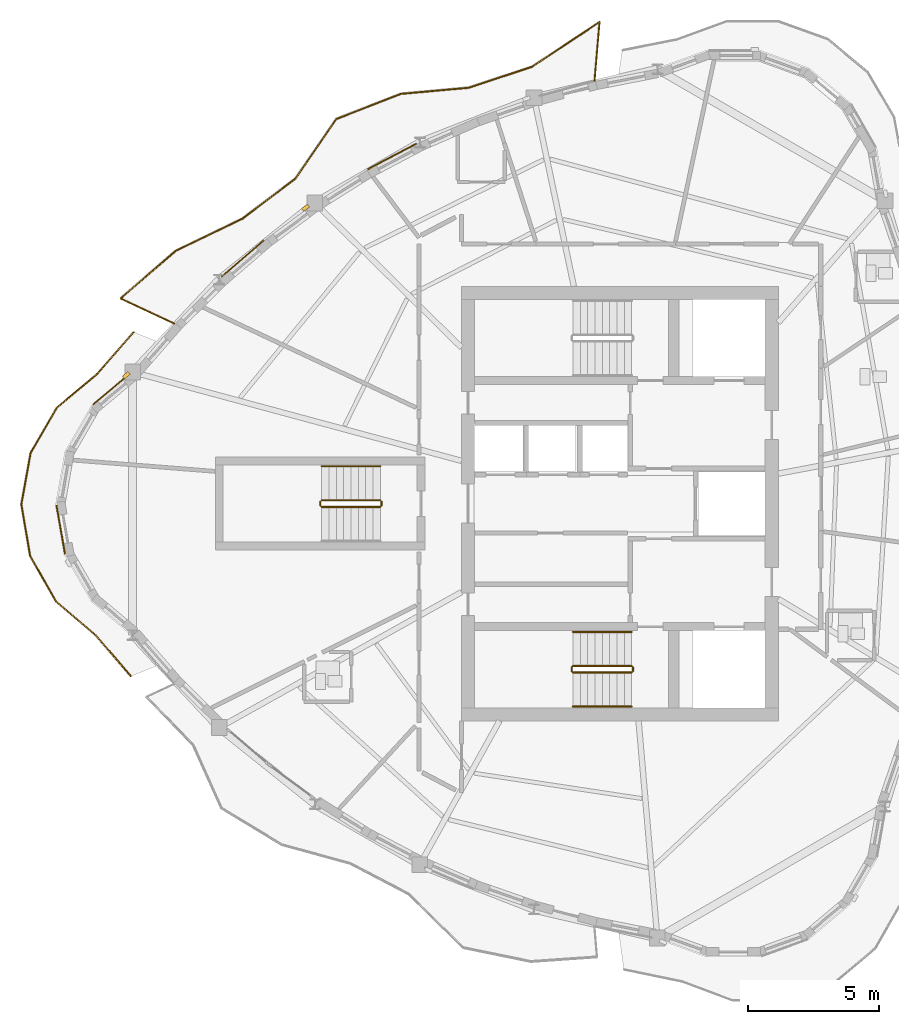
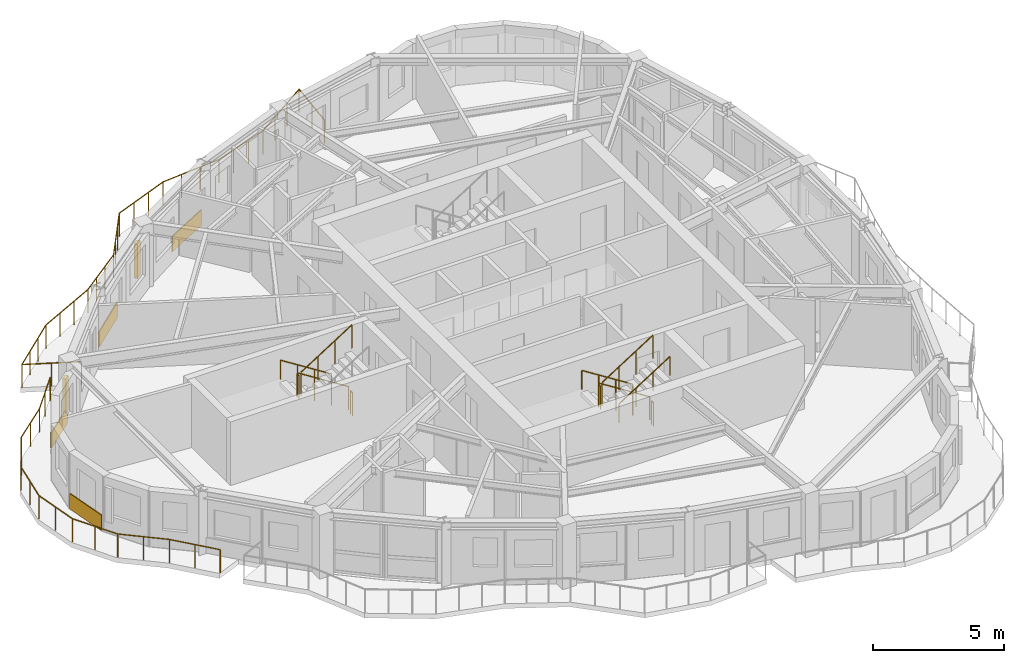
# One storey, part 11 of 13: 13 railings, 4 coverings, 2 shading devices.
"""IFC4 building model written with IfcOpenShell, lengths in metres."""

from ifc_helpers import new_model, si_unit, direction, frame, origin, origin_2d, place, context, subcontext, project, spatial, rectangle, circle, extrude, source, transform, mapped, material, layer, layer_set, type_object, element, save


model = new_model("IFC4")

# Units and contexts
model_context = context("Model", 3, precision=1e-05, world=origin(), true_north=direction((0.0, 1.0)))
body_context = subcontext(model_context, "Body", "Model", "MODEL_VIEW")
ifc_project = project(units=[si_unit("LENGTHUNIT", "METRE"), si_unit("AREAUNIT", "SQUARE_METRE"), si_unit("VOLUMEUNIT", "CUBIC_METRE"), si_unit("PLANEANGLEUNIT", "RADIAN"), si_unit("MASSUNIT", "GRAM", prefix="KILO")], contexts=[model_context])

# Site, building, storey
site_placement = place(None, origin())
site = spatial("IfcSite", under=ifc_project, at=site_placement, CompositionType="ELEMENT")
building_placement = place(site_placement, origin())
building = spatial("IfcBuilding", under=site, at=building_placement, Name="Qafzar Sky-Pleat Residences", CompositionType="ELEMENT")
storey_placement = place(building_placement, frame((0.0, 0.0, 195.60009765625)))
storey = spatial("IfcBuildingStorey", under=building, at=storey_placement, Name="L58", CompositionType="ELEMENT", Elevation=195.60009765625)

# Shading devices
ifc_material_1 = material(Name="Honed Riyadh limestone solar fin", Category="masonry")
ifc_layer_1 = layer(ifc_material_1, 0.139892578125)
ifc_layer_set_1 = layer_set([ifc_layer_1], Name="Honed Riyadh limestone solar fin")
shading_device_type = type_object("IfcShadingDeviceType", Name="SHD-FIN-STONE", PredefinedType="SHUTTER", material=ifc_layer_set_1)
shared_shape_1 = source(origin(), body_context, "Body", "SweptSolid", [
    extrude(rectangle(XDim=0.139892578125, YDim=0.280029296875, at=origin_2d()), origin(), (0.0, 0.0, 1.0), 1.60009765625),
])
for number, where, z_axis, x_axis, name in (
    (1, (11.498046875, 30.90478515625, 0.599853515625), (0.0, 0.0, 1.0), (-0.642754210861, 0.76607246682, 0.0), "L58 Limestone Solar Fin 1"),
    (2, (18.345703125, 37.296630859375, 0.599853515625), (0.0, 0.0, 1.0), (-0.594855767827, 0.803832454858, 0.0), "L58 Limestone Solar Fin 45"),
):
    element("IfcShadingDevice", number, at=place(storey_placement, frame(where, z_axis=z_axis, x_axis=x_axis)), inside=storey, type_object=shading_device_type, Name=name, PredefinedType="SHUTTER", context=body_context, shape_type="MappedRepresentation", body=[
        mapped(shared_shape_1, transform((0.0, 0.0, 0.0), x_axis=(1.0, 0.0, 0.0), y_axis=(0.0, 1.0, 0.0), z_axis=(0.0, 0.0, 1.0), scale=1.0)),
    ])

# Covering
ifc_material_2 = material(Name="Honed Riyadh Tuwaiq limestone cladding", Category="masonry")
ifc_layer_2 = layer(ifc_material_2, 0.044921875)
ifc_layer_set_2 = layer_set([ifc_layer_2], Name="Honed Riyadh Tuwaiq limestone cladding")
covering_type = type_object("IfcCoveringType", Name="COV-CLAD-STONE", PredefinedType="CLADDING", material=ifc_layer_set_2)
shared_shape_2 = source(origin(), body_context, "Body", "SweptSolid", [
    extrude(rectangle(XDim=1.88134765625, YDim=0.044921875, at=origin_2d()), origin(), (0.0, 0.0, 1.0), 0.719970703125),
])
covering_1_placement = place(storey_placement, frame((8.993408203125, 25.00439453125, 0.02001953125), z_axis=(0.0, 0.0, 1.0), x_axis=(0.173662519465, -0.984805224059, 0.0)))
element("IfcCovering", 3, at=covering_1_placement, inside=storey, type_object=covering_type, Name="L58 Riyadh Limestone Spandrel Cladding 4", PredefinedType="CLADDING", context=body_context, shape_type="MappedRepresentation", body=[
    mapped(shared_shape_2, transform((0.0, 0.0, 0.0), x_axis=(1.0, 0.0, 0.0), y_axis=(0.0, 1.0, 0.0), z_axis=(0.0, 0.0, 1.0), scale=1.0)),
])

# Railings
ifc_material_3 = material(Name="Laminated glass and bronze steel balustrade", Category="steel")
railing_type_1 = type_object("IfcRailingType", Name="RAIL-BAL-1100", PredefinedType="BALUSTRADE", material=ifc_material_3)
shared_shape_3 = source(origin(), body_context, "Body", "SweptSolid", [
    extrude(circle(Radius=0.02392578125, at=origin_2d()), frame((0.0, 0.0, 1.076171875), z_axis=(0.085358453155, 0.996350307108, 0.0), x_axis=(-0.996350307108, 0.085358453155, 0.0)), (0.0, 0.0, 1.0), 2.27099609375),
    extrude(circle(Radius=0.02392578125, at=origin_2d()), frame((0.19384765625, 2.2626953125, 1.076171875), z_axis=(-0.833250144576, -0.552896189682, 0.0), x_axis=(0.552896189682, -0.833250144576, 0.0)), (0.0, 0.0, 1.0), 3.093994140625),
    extrude(circle(Radius=0.02392578125, at=origin_2d()), frame((-2.38427734375, 0.552001953125, 1.076171875), z_axis=(-0.948692940758, -0.316198836425, 0.0), x_axis=(0.316198836425, -0.948692940758, 0.0)), (0.0, 0.0, 1.0), 2.53173828125),
    extrude(circle(Radius=0.02392578125, at=origin_2d()), frame((-4.7861328125, -0.24853515625, 1.076171875), z_axis=(-0.99596725281, -0.089717508496, 0.0), x_axis=(0.089717508496, -0.99596725281, 0.0)), (0.0, 0.0, 1.0), 2.609619140625),
    extrude(circle(Radius=0.02392578125, at=origin_2d()), frame((-7.38525390625, -0.482666015625, 1.076171875), z_axis=(-0.932168391901, -0.362024984139, 0.0), x_axis=(0.362024984139, -0.932168391901, 0.0)), (0.0, 0.0, 1.0), 2.656982421875),
    extrude(circle(Radius=0.02392578125, at=origin_2d()), frame((-9.862060546875, -1.444580078125, 1.076171875), z_axis=(-0.565649900182, -0.824645493787, 0.0), x_axis=(0.824645493787, -0.565649900182, 0.0)), (0.0, 0.0, 1.0), 2.771484375),
    extrude(circle(Radius=0.02392578125, at=origin_2d()), frame((-11.4296875, -3.72998046875, 1.076171875), z_axis=(-0.798504701053, -0.601988573311, 0.0), x_axis=(0.601988573311, -0.798504701053, 0.0)), (0.0, 0.0, 1.0), 2.511962890625),
    extrude(circle(Radius=0.02392578125, at=origin_2d()), frame((-13.435546875, -5.2421875, 1.076171875), z_axis=(-0.900251456153, -0.435370320181, 0.0), x_axis=(0.435370320181, -0.900251456153, 0.0)), (0.0, 0.0, 1.0), 2.845947265625),
    extrude(circle(Radius=0.02392578125, at=origin_2d()), frame((-15.99755859375, -6.481201171875, 1.076171875), z_axis=(-0.756453597998, -0.654047363786, 0.0), x_axis=(0.654047363786, -0.756453597998, 0.0)), (0.0, 0.0, 1.0), 2.77978515625),
    extrude(circle(Radius=0.02392578125, at=origin_2d()), frame((-18.100341796875, -8.29931640625, 1.076171875), z_axis=(0.905511863564, -0.424320945683, 0.0), x_axis=(0.424320945683, 0.905511863564, 0.0)), (0.0, 0.0, 1.0), 2.27099609375),
    extrude(circle(Radius=0.02099609375, at=origin_2d()), origin(), (0.0, 0.0, 1.0), 1.052001953125),
    extrude(circle(Radius=0.02099609375, at=origin_2d()), frame((0.096923828125, 1.13134765625, 0.0)), (0.0, 0.0, 1.0), 1.052001953125),
    extrude(circle(Radius=0.02099609375, at=origin_2d()), frame((0.19384765625, 2.2626953125, 0.0)), (0.0, 0.0, 1.0), 1.052001953125),
    extrude(circle(Radius=0.02099609375, at=origin_2d()), frame((-0.66552734375, 1.6923828125, 0.0)), (0.0, 0.0, 1.0), 1.052001953125),
    extrude(circle(Radius=0.02099609375, at=origin_2d()), frame((-1.52490234375, 1.122314453125, 0.0)), (0.0, 0.0, 1.0), 1.052001953125),
    extrude(circle(Radius=0.02099609375, at=origin_2d()), frame((-2.38427734375, 0.552001953125, 0.0)), (0.0, 0.0, 1.0), 1.052001953125),
    extrude(circle(Radius=0.02099609375, at=origin_2d()), frame((-3.184814453125, 0.28515625, 0.0)), (0.0, 0.0, 1.0), 1.052001953125),
    extrude(circle(Radius=0.02099609375, at=origin_2d()), frame((-3.985595703125, 0.018310546875, 0.0)), (0.0, 0.0, 1.0), 1.052001953125),
    extrude(circle(Radius=0.02099609375, at=origin_2d()), frame((-4.7861328125, -0.24853515625, 0.0)), (0.0, 0.0, 1.0), 1.052001953125),
    extrude(circle(Radius=0.02099609375, at=origin_2d()), frame((-5.652587890625, -0.32666015625, 0.0)), (0.0, 0.0, 1.0), 1.052001953125),
    extrude(circle(Radius=0.02099609375, at=origin_2d()), frame((-6.518798828125, -0.404541015625, 0.0)), (0.0, 0.0, 1.0), 1.052001953125),
    extrude(circle(Radius=0.02099609375, at=origin_2d()), frame((-7.38525390625, -0.482666015625, 0.0)), (0.0, 0.0, 1.0), 1.052001953125),
    extrude(circle(Radius=0.02099609375, at=origin_2d()), frame((-8.2109375, -0.80322265625, 0.0)), (0.0, 0.0, 1.0), 1.052001953125),
    extrude(circle(Radius=0.02099609375, at=origin_2d()), frame((-9.036376953125, -1.1240234375, 0.0)), (0.0, 0.0, 1.0), 1.052001953125),
    extrude(circle(Radius=0.02099609375, at=origin_2d()), frame((-9.862060546875, -1.444580078125, 0.0)), (0.0, 0.0, 1.0), 1.052001953125),
    extrude(circle(Radius=0.02099609375, at=origin_2d()), frame((-10.384521484375, -2.206298828125, 0.0)), (0.0, 0.0, 1.0), 1.052001953125),
    extrude(circle(Radius=0.02099609375, at=origin_2d()), frame((-10.9072265625, -2.96826171875, 0.0)), (0.0, 0.0, 1.0), 1.052001953125),
    extrude(circle(Radius=0.02099609375, at=origin_2d()), frame((-11.4296875, -3.72998046875, 0.0)), (0.0, 0.0, 1.0), 1.052001953125),
    extrude(circle(Radius=0.02099609375, at=origin_2d()), frame((-12.098388671875, -4.234130859375, 0.0)), (0.0, 0.0, 1.0), 1.052001953125),
    extrude(circle(Radius=0.02099609375, at=origin_2d()), frame((-12.766845703125, -4.738037109375, 0.0)), (0.0, 0.0, 1.0), 1.052001953125),
    extrude(circle(Radius=0.02099609375, at=origin_2d()), frame((-13.435546875, -5.2421875, 0.0)), (0.0, 0.0, 1.0), 1.052001953125),
    extrude(circle(Radius=0.02099609375, at=origin_2d()), frame((-14.28955078125, -5.6552734375, 0.0)), (0.0, 0.0, 1.0), 1.052001953125),
    extrude(circle(Radius=0.02099609375, at=origin_2d()), frame((-15.1435546875, -6.068115234375, 0.0)), (0.0, 0.0, 1.0), 1.052001953125),
    extrude(circle(Radius=0.02099609375, at=origin_2d()), frame((-15.99755859375, -6.481201171875, 0.0)), (0.0, 0.0, 1.0), 1.052001953125),
    extrude(circle(Radius=0.02099609375, at=origin_2d()), frame((-16.698486328125, -7.087158203125, 0.0)), (0.0, 0.0, 1.0), 1.052001953125),
    extrude(circle(Radius=0.02099609375, at=origin_2d()), frame((-17.3994140625, -7.693359375, 0.0)), (0.0, 0.0, 1.0), 1.052001953125),
    extrude(circle(Radius=0.02099609375, at=origin_2d()), frame((-18.100341796875, -8.29931640625, 0.0)), (0.0, 0.0, 1.0), 1.052001953125),
    extrude(circle(Radius=0.02099609375, at=origin_2d()), frame((-17.072265625, -8.78125, 0.0)), (0.0, 0.0, 1.0), 1.052001953125),
    extrude(circle(Radius=0.02099609375, at=origin_2d()), frame((-16.0439453125, -9.262939453125, 0.0)), (0.0, 0.0, 1.0), 1.052001953125),
])
railing_1_placement = place(storey_placement, frame((29.38134765625, 42.13330078125, 0.0)))
element("IfcRailing", 4, at=railing_1_placement, inside=storey, type_object=railing_type_1, Name="L58 Pleated Balcony 2 Balustrade", PredefinedType="BALUSTRADE", context=body_context, shape_type="MappedRepresentation", body=[
    mapped(shared_shape_3, transform((0.0, 0.0, 0.0), x_axis=(1.0, 0.0, 0.0), y_axis=(0.0, 1.0, 0.0), z_axis=(0.0, 0.0, 1.0), scale=1.0)),
])
shared_shape_4 = source(origin(), body_context, "Body", "SweptSolid", [
    extrude(circle(Radius=0.02392578125, at=origin_2d()), frame((0.0, 0.0, 1.076171875), z_axis=(-0.651026233551, 0.759055230684, 0.0), x_axis=(-0.759055230684, -0.651026233551, 0.0)), (0.0, 0.0, 1.0), 2.05419921875),
    extrude(circle(Radius=0.02392578125, at=origin_2d()), frame((-1.33740234375, 1.559326171875, 1.076171875), z_axis=(-0.761044707681, 0.648699431872, 0.0), x_axis=(-0.648699431872, -0.761044707681, 0.0)), (0.0, 0.0, 1.0), 2.00146484375),
    extrude(circle(Radius=0.02392578125, at=origin_2d()), frame((-2.860595703125, 2.857666015625, 1.076171875), z_axis=(-0.494508353478, 0.86917287598, 0.0), x_axis=(-0.86917287598, -0.494508353478, 0.0)), (0.0, 0.0, 1.0), 2.00048828125),
    extrude(circle(Radius=0.02392578125, at=origin_2d()), frame((-3.849853515625, 4.596435546875, 1.076171875), z_axis=(-0.168296462892, 0.98573642551, 0.0), x_axis=(-0.98573642551, -0.168296462892, 0.0)), (0.0, 0.0, 1.0), 2.00048828125),
    extrude(circle(Radius=0.02392578125, at=origin_2d()), frame((-4.1865234375, 6.568359375, 1.076171875), z_axis=(0.177961618936, 0.984037429261, 0.0), x_axis=(-0.984037429261, 0.177961618936, 0.0)), (0.0, 0.0, 1.0), 2.000244140625),
    extrude(circle(Radius=0.02392578125, at=origin_2d()), frame((-3.83056640625, 8.53662109375, 1.076171875), z_axis=(0.502800742564, 0.864402344558, 0.0), x_axis=(-0.864402344558, 0.502800742564, 0.0)), (0.0, 0.0, 1.0), 2.00048828125),
    extrude(circle(Radius=0.02392578125, at=origin_2d()), frame((-2.82470703125, 10.265869140625, 1.076171875), z_axis=(0.76734087891, 0.641239405802, 0.0), x_axis=(-0.641239405802, 0.76734087891, 0.0)), (0.0, 0.0, 1.0), 2.001953125),
    extrude(circle(Radius=0.02392578125, at=origin_2d()), frame((-1.28857421875, 11.549560546875, 1.076171875), z_axis=(0.658390635217, 0.752676405541, 0.0), x_axis=(-0.752676405541, 0.658390635217, 0.0)), (0.0, 0.0, 1.0), 2.123291015625),
    extrude(circle(Radius=0.02099609375, at=origin_2d()), origin(), (0.0, 0.0, 1.0), 1.052001953125),
    extrude(circle(Radius=0.02099609375, at=origin_2d()), frame((-0.668701171875, 0.77978515625, 0.0)), (0.0, 0.0, 1.0), 1.052001953125),
    extrude(circle(Radius=0.02099609375, at=origin_2d()), frame((-1.33740234375, 1.559326171875, 0.0)), (0.0, 0.0, 1.0), 1.052001953125),
    extrude(circle(Radius=0.02099609375, at=origin_2d()), frame((-2.09912109375, 2.20849609375, 0.0)), (0.0, 0.0, 1.0), 1.052001953125),
    extrude(circle(Radius=0.02099609375, at=origin_2d()), frame((-2.860595703125, 2.857666015625, 0.0)), (0.0, 0.0, 1.0), 1.052001953125),
    extrude(circle(Radius=0.02099609375, at=origin_2d()), frame((-3.355224609375, 3.72705078125, 0.0)), (0.0, 0.0, 1.0), 1.052001953125),
    extrude(circle(Radius=0.02099609375, at=origin_2d()), frame((-3.849853515625, 4.596435546875, 0.0)), (0.0, 0.0, 1.0), 1.052001953125),
    extrude(circle(Radius=0.02099609375, at=origin_2d()), frame((-4.01806640625, 5.58251953125, 0.0)), (0.0, 0.0, 1.0), 1.052001953125),
    extrude(circle(Radius=0.02099609375, at=origin_2d()), frame((-4.1865234375, 6.568359375, 0.0)), (0.0, 0.0, 1.0), 1.052001953125),
    extrude(circle(Radius=0.02099609375, at=origin_2d()), frame((-4.008544921875, 7.552490234375, 0.0)), (0.0, 0.0, 1.0), 1.052001953125),
    extrude(circle(Radius=0.02099609375, at=origin_2d()), frame((-3.83056640625, 8.53662109375, 0.0)), (0.0, 0.0, 1.0), 1.052001953125),
    extrude(circle(Radius=0.02099609375, at=origin_2d()), frame((-3.32763671875, 9.4013671875, 0.0)), (0.0, 0.0, 1.0), 1.052001953125),
    extrude(circle(Radius=0.02099609375, at=origin_2d()), frame((-2.82470703125, 10.265869140625, 0.0)), (0.0, 0.0, 1.0), 1.052001953125),
    extrude(circle(Radius=0.02099609375, at=origin_2d()), frame((-2.056640625, 10.90771484375, 0.0)), (0.0, 0.0, 1.0), 1.052001953125),
    extrude(circle(Radius=0.02099609375, at=origin_2d()), frame((-1.28857421875, 11.549560546875, 0.0)), (0.0, 0.0, 1.0), 1.052001953125),
    extrude(circle(Radius=0.02099609375, at=origin_2d()), frame((-0.589599609375, 12.3486328125, 0.0)), (0.0, 0.0, 1.0), 1.052001953125),
    extrude(circle(Radius=0.02099609375, at=origin_2d()), frame((0.109375, 13.147705078125, 0.0)), (0.0, 0.0, 1.0), 1.052001953125),
])
railing_2_placement = place(storey_placement, frame((11.6748046875, 19.404052734375, 0.0)))
element("IfcRailing", 5, at=railing_2_placement, inside=storey, type_object=railing_type_1, Name="L58 Corner Terrace 1 Balustrade", PredefinedType="BALUSTRADE", context=body_context, shape_type="MappedRepresentation", body=[
    mapped(shared_shape_4, transform((0.0, 0.0, 0.0), x_axis=(1.0, 0.0, 0.0), y_axis=(0.0, 1.0, 0.0), z_axis=(0.0, 0.0, 1.0), scale=1.0)),
])

# Coverings
shared_shape_5 = source(origin(), body_context, "Body", "SweptSolid", [
    extrude(rectangle(XDim=1.76611328125, YDim=0.044921875, at=origin_2d()), origin(), (0.0, 0.0, 1.0), 0.719970703125),
])
covering_2_placement = place(storey_placement, frame((10.9052734375, 30.351318359375, 0.02001953125), z_axis=(0.0, 0.0, 1.0), x_axis=(-0.76607417096, -0.642752179762, 0.0)))
element("IfcCovering", 6, at=covering_2_placement, inside=storey, type_object=covering_type, Name="L58 Riyadh Limestone Spandrel Cladding 1", PredefinedType="CLADDING", context=body_context, shape_type="MappedRepresentation", body=[
    mapped(shared_shape_5, transform((0.0, 0.0, 0.0), x_axis=(1.0, 0.0, 0.0), y_axis=(0.0, 1.0, 0.0), z_axis=(0.0, 0.0, 1.0), scale=1.0)),
])
shared_shape_6 = source(origin(), body_context, "Body", "SweptSolid", [
    extrude(rectangle(XDim=2.100341796875, YDim=0.044921875, at=origin_2d()), origin(), (0.0, 0.0, 1.0), 0.719970703125),
])
covering_3_placement = place(storey_placement, frame((21.64892578125, 39.25830078125, 0.02001953125), z_axis=(0.0, 0.0, 1.0), x_axis=(-0.88438131344, -0.46676513627, 0.0)))
element("IfcCovering", 7, at=covering_3_placement, inside=storey, type_object=covering_type, Name="L58 Riyadh Limestone Spandrel Cladding 43", PredefinedType="CLADDING", context=body_context, shape_type="MappedRepresentation", body=[
    mapped(shared_shape_6, transform((0.0, 0.0, 0.0), x_axis=(1.0, 0.0, 0.0), y_axis=(0.0, 1.0, 0.0), z_axis=(0.0, 0.0, 1.0), scale=1.0)),
])
shared_shape_7 = source(origin(), body_context, "Body", "SweptSolid", [
    extrude(rectangle(XDim=2.135986328125, YDim=0.044921875, at=origin_2d()), origin(), (0.0, 0.0, 1.0), 0.719970703125),
])
covering_4_placement = place(storey_placement, frame((15.944091796875, 35.35986328125, 0.02001953125), z_axis=(0.0, 0.0, 1.0), x_axis=(-0.757478216227, -0.652860438334, 0.0)))
element("IfcCovering", 8, at=covering_4_placement, inside=storey, type_object=covering_type, Name="L58 Riyadh Limestone Spandrel Cladding 46", PredefinedType="CLADDING", context=body_context, shape_type="MappedRepresentation", body=[
    mapped(shared_shape_7, transform((0.0, 0.0, 0.0), x_axis=(1.0, 0.0, 0.0), y_axis=(0.0, 1.0, 0.0), z_axis=(0.0, 0.0, 1.0), scale=1.0)),
])

# Railings
ifc_material_4 = material(Name="Painted Steel S355 stair guardrail", Category="steel")
railing_type_2 = type_object("IfcRailingType", Name="RAIL-STAIR-GUARD", PredefinedType="GUARDRAIL", material=ifc_material_4)
shared_shape_8 = source(origin(), body_context, "Body", "SweptSolid", [
    extrude(circle(Radius=0.02392578125, at=origin_2d()), frame((0.0, 0.0, 1.076171875), z_axis=(0.0, -1.0, 0.0), x_axis=(1.0, 0.0, 0.0)), (0.0, 0.0, 1.0), 0.14990234375),
    extrude(circle(Radius=0.02099609375, at=origin_2d()), origin(), (0.0, 0.0, 1.0), 1.052001953125),
    extrude(circle(Radius=0.02099609375, at=origin_2d()), frame((0.0, -0.14990234375, 0.0)), (0.0, 0.0, 1.0), 1.052001953125),
])
for number, where, name in (
    (9, (28.510009765625, 19.75, 1.599853515625), "L58 ST1 stair guard 2"),
    (10, (30.85009765625, 19.75, 0.0), "L58 ST1 stair guard 4"),
    (11, (18.909912109375, 26.074951171875, 1.599853515625), "L58 ST3 stair guard 2"),
    (12, (21.25, 26.074951171875, 0.0), "L58 ST3 stair guard 4"),
):
    element("IfcRailing", number, at=place(storey_placement, frame(where)), inside=storey, type_object=railing_type_2, Name=name, PredefinedType="GUARDRAIL", context=body_context, shape_type="MappedRepresentation", body=[
        mapped(shared_shape_8, transform((0.0, 0.0, 0.0), x_axis=(1.0, 0.0, 0.0), y_axis=(0.0, 1.0, 0.0), z_axis=(0.0, 0.0, 1.0), scale=1.0)),
    ])
shared_shape_9 = source(origin(), body_context, "Body", "SweptSolid", [
    extrude(circle(Radius=0.02392578125, at=origin_2d()), frame((0.0, 0.0, 1.076171875), z_axis=(-0.8442293374, 0.0, 0.53598211339), x_axis=(0.0, -1.0, 0.0)), (0.0, 0.0, 1.0), 2.6533203125),
    extrude(circle(Radius=0.02099609375, at=origin_2d()), origin(), (0.0, 0.0, 1.0), 1.052001953125),
    extrude(circle(Radius=0.02099609375, at=origin_2d()), frame((-0.74658203125, 0.0, 0.47412109375)), (0.0, 0.0, 1.0), 1.052001953125),
    extrude(circle(Radius=0.02099609375, at=origin_2d()), frame((-1.493408203125, 0.0, 0.947998046875)), (0.0, 0.0, 1.0), 1.052001953125),
    extrude(circle(Radius=0.02099609375, at=origin_2d()), frame((-2.239990234375, 0.0, 1.422119140625)), (0.0, 0.0, 1.0), 1.052001953125),
])
for number, where, name in (
    (13, (30.800048828125, 19.800048828125, 0.177734375), "L58 ST1 stair guard 1"),
    (14, (21.199951171875, 26.125, 0.177734375), "L58 ST3 stair guard 1"),
):
    element("IfcRailing", number, at=place(storey_placement, frame(where)), inside=storey, type_object=railing_type_2, Name=name, PredefinedType="GUARDRAIL", context=body_context, shape_type="MappedRepresentation", body=[
        mapped(shared_shape_9, transform((0.0, 0.0, 0.0), x_axis=(1.0, 0.0, 0.0), y_axis=(0.0, 1.0, 0.0), z_axis=(0.0, 0.0, 1.0), scale=1.0)),
    ])
ifc_material_5 = material(Name="Brushed stainless steel handrail", Category="steel")
railing_type_3 = type_object("IfcRailingType", Name="RAIL-STAIR-HAND", PredefinedType="HANDRAIL", material=ifc_material_5)
shared_shape_10 = source(origin(), body_context, "Body", "SweptSolid", [
    extrude(circle(Radius=0.02392578125, at=origin_2d()), frame((0.0, 0.0, 0.8759765625), z_axis=(-0.8442293374, 0.0, 0.53598211339), x_axis=(0.0, -1.0, 0.0)), (0.0, 0.0, 1.0), 2.6533203125),
    extrude(circle(Radius=0.02099609375, at=origin_2d()), origin(), (0.0, 0.0, 1.0), 0.851806640625),
    extrude(circle(Radius=0.02099609375, at=origin_2d()), frame((-0.74658203125, 0.0, 0.47412109375)), (0.0, 0.0, 1.0), 0.851806640625),
    extrude(circle(Radius=0.02099609375, at=origin_2d()), frame((-1.493408203125, 0.0, 0.947998046875)), (0.0, 0.0, 1.0), 0.851806640625),
    extrude(circle(Radius=0.02099609375, at=origin_2d()), frame((-2.239990234375, 0.0, 1.422119140625)), (0.0, 0.0, 1.0), 0.851806640625),
])
for number, where, name in (
    (15, (30.800048828125, 21.10009765625, 0.177734375), "L58 ST1 stair handrail 1"),
    (16, (21.199951171875, 27.425048828125, 0.177734375), "L58 ST3 stair handrail 1"),
):
    element("IfcRailing", number, at=place(storey_placement, frame(where)), inside=storey, type_object=railing_type_3, Name=name, PredefinedType="HANDRAIL", context=body_context, shape_type="MappedRepresentation", body=[
        mapped(shared_shape_10, transform((0.0, 0.0, 0.0), x_axis=(1.0, 0.0, 0.0), y_axis=(0.0, 1.0, 0.0), z_axis=(0.0, 0.0, 1.0), scale=1.0)),
    ])
shared_shape_11 = source(origin(), body_context, "Body", "SweptSolid", [
    extrude(circle(Radius=0.02392578125, at=origin_2d()), frame((0.0, 0.0, 1.076171875), z_axis=(0.84418770128, 0.0, 0.536047689118), x_axis=(0.0, 1.0, 0.0)), (0.0, 0.0, 1.0), 2.6533203125),
    extrude(circle(Radius=0.02099609375, at=origin_2d()), origin(), (0.0, 0.0, 1.0), 1.052001953125),
    extrude(circle(Radius=0.02099609375, at=origin_2d()), frame((0.74658203125, 0.0, 0.47412109375)), (0.0, 0.0, 1.0), 1.052001953125),
    extrude(circle(Radius=0.02099609375, at=origin_2d()), frame((1.493408203125, 0.0, 0.9482421875)), (0.0, 0.0, 1.0), 1.052001953125),
    extrude(circle(Radius=0.02099609375, at=origin_2d()), frame((2.239990234375, 0.0, 1.42236328125)), (0.0, 0.0, 1.0), 1.052001953125),
])
for number, where, name in (
    (17, (28.56005859375, 19.550048828125, 1.777587890625), "L58 ST1 stair guard 3"),
    (18, (18.9599609375, 25.875, 1.777587890625), "L58 ST3 stair guard 3"),
):
    element("IfcRailing", number, at=place(storey_placement, frame(where)), inside=storey, type_object=railing_type_2, Name=name, PredefinedType="GUARDRAIL", context=body_context, shape_type="MappedRepresentation", body=[
        mapped(shared_shape_11, transform((0.0, 0.0, 0.0), x_axis=(1.0, 0.0, 0.0), y_axis=(0.0, 1.0, 0.0), z_axis=(0.0, 0.0, 1.0), scale=1.0)),
    ])
shared_shape_12 = source(origin(), body_context, "Body", "SweptSolid", [
    extrude(circle(Radius=0.02392578125, at=origin_2d()), frame((0.0, 0.0, 0.8759765625), z_axis=(0.84418770128, 0.0, 0.536047689118), x_axis=(0.0, 1.0, 0.0)), (0.0, 0.0, 1.0), 2.6533203125),
    extrude(circle(Radius=0.02099609375, at=origin_2d()), origin(), (0.0, 0.0, 1.0), 0.851806640625),
    extrude(circle(Radius=0.02099609375, at=origin_2d()), frame((0.74658203125, 0.0, 0.47412109375)), (0.0, 0.0, 1.0), 0.851806640625),
    extrude(circle(Radius=0.02099609375, at=origin_2d()), frame((1.493408203125, 0.0, 0.9482421875)), (0.0, 0.0, 1.0), 0.851806640625),
    extrude(circle(Radius=0.02099609375, at=origin_2d()), frame((2.239990234375, 0.0, 1.42236328125)), (0.0, 0.0, 1.0), 0.851806640625),
])
railing_3_placement = place(storey_placement, frame((28.56005859375, 18.25, 1.777587890625)))
element("IfcRailing", 19, at=railing_3_placement, inside=storey, type_object=railing_type_3, Name="L58 ST1 stair handrail 2", PredefinedType="HANDRAIL", context=body_context, shape_type="MappedRepresentation", body=[
    mapped(shared_shape_12, transform((0.0, 0.0, 0.0), x_axis=(1.0, 0.0, 0.0), y_axis=(0.0, 1.0, 0.0), z_axis=(0.0, 0.0, 1.0), scale=1.0)),
])

save(model, "model.ifc")
